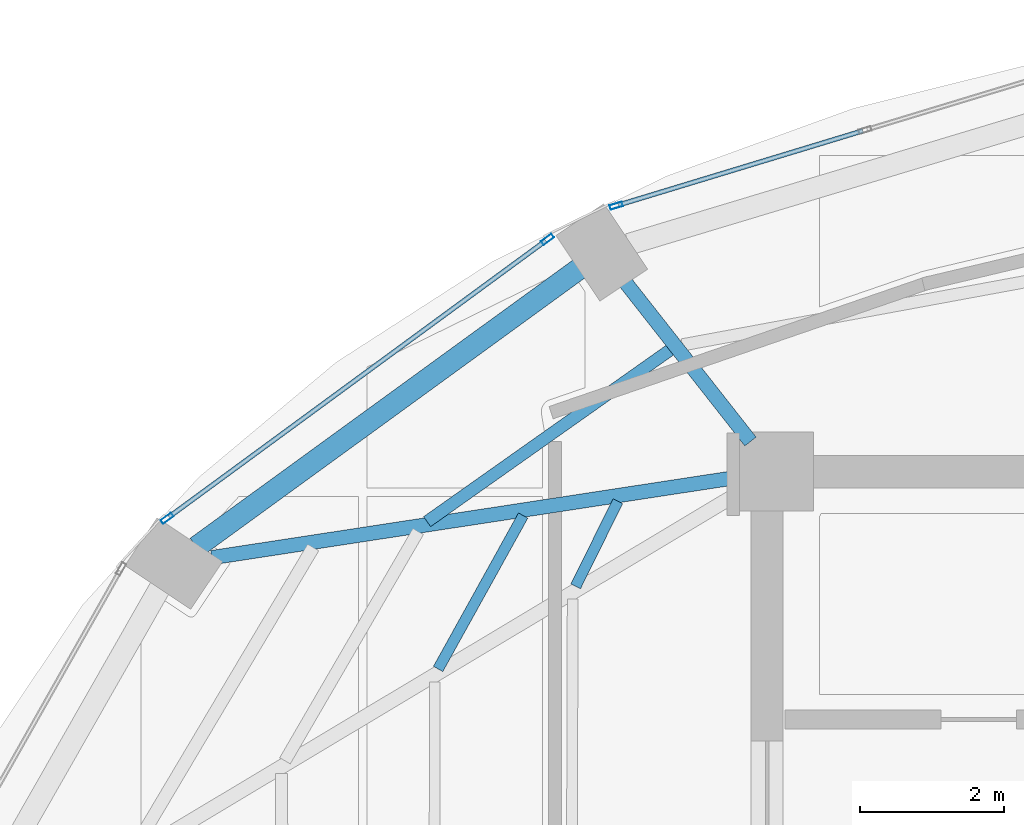
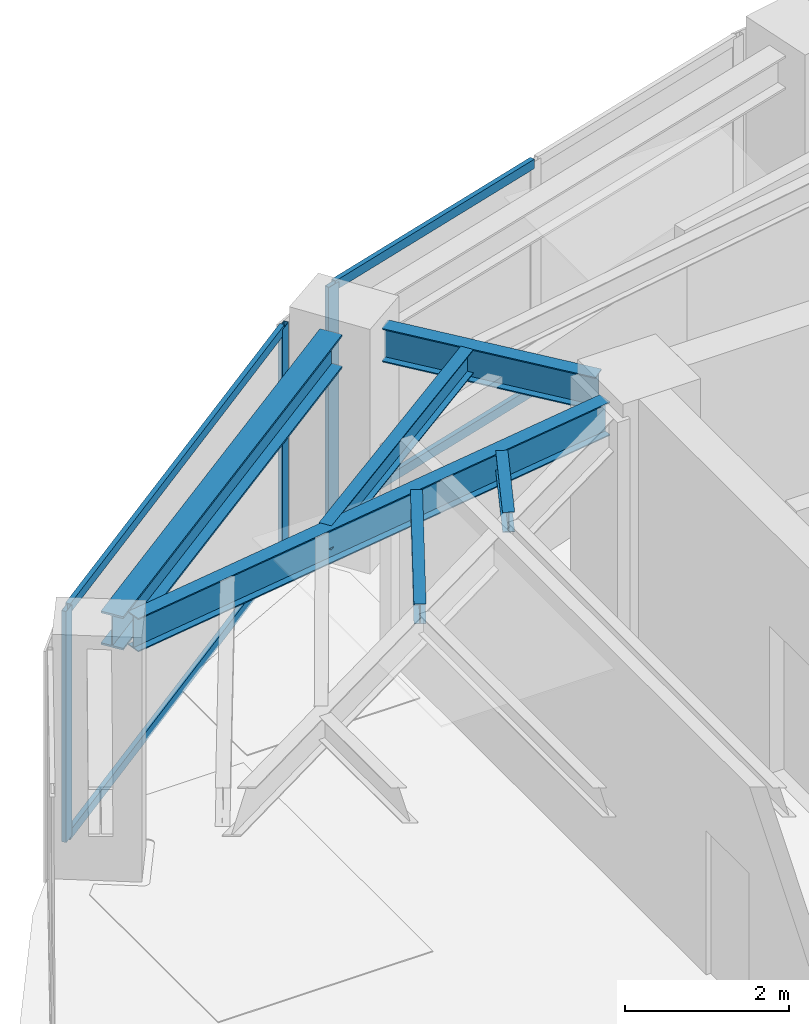
# One storey, part 10 of 22: 7 members, 6 beams, 2 elements without a shape of their own.
"""IFC4 building model written with IfcOpenShell, lengths in metres."""

import ifcopenshell
import ifcopenshell.guid

model = None  # the IFC model being written
_history = None  # IfcOwnerHistory: only IFC2X3 demands one
_inside = {}  # id of a spatial element -> (the spatial element, [elements in it])
_under = {}  # id of a project, library or spatial element -> (it, [spatial elements below it])
_declared = {}  # id of a project -> (the project, [libraries it declares])
_typed = {}  # id of a type object -> (the type object, [elements of that type])
_made_of = {}  # id of a material, layer set ... -> (it, [elements and type objects made of it])


def new_model(schema):
    """Start an empty IFC model of exactly this schema.

    Asked for "IFC4X3", IfcOpenShell would pick the latest addendum, in which some entities
    have other attributes; the version numbers below select the first issue.
    IFC2X3 requires an IfcOwnerHistory on every rooted entity: one is made here for all.
    """
    global model, _history
    if schema == "IFC4X3":
        model = ifcopenshell.file(schema_version=(4, 3, 0, 0))
    else:
        model = ifcopenshell.file(schema=schema)
    _inside.clear()
    _under.clear()
    _declared.clear()
    _typed.clear()
    _made_of.clear()
    _history = None
    if model.schema == "IFC2X3":
        org = make("IfcOrganization", Name="unknown")
        user = make(
            "IfcPersonAndOrganization",
            ThePerson=make("IfcPerson", FamilyName="unknown"),
            TheOrganization=org,
        )
        app = make(
            "IfcApplication",
            ApplicationDeveloper=org,
            Version="unknown",
            ApplicationFullName="unknown",
            ApplicationIdentifier="unknown",
        )
        _history = make(
            "IfcOwnerHistory",
            OwningUser=user,
            OwningApplication=app,
            ChangeAction="ADDED",
            CreationDate=0,
        )
    return model


def make(cls, **values):
    """One entity of the class cls with the attributes given. An attribute that is None is left unset."""
    return model.create_entity(
        cls, **{name: value for name, value in values.items() if value is not None}
    )


def rooted(cls, **values):
    """An entity with a GlobalId (a new one), such as an element, a storey or a relation."""
    return make(cls, GlobalId=ifcopenshell.guid.new(), OwnerHistory=_history, **values)


def si_unit(unit_type, name, prefix=None):
    """IfcSIUnit, for example si_unit("LENGTHUNIT", "METRE", prefix="MILLI")."""
    return make("IfcSIUnit", UnitType=unit_type, Prefix=prefix, Name=name)


def assignment(units):
    """IfcUnitAssignment: the units of a project."""
    return None if units is None else make("IfcUnitAssignment", Units=units)


def point(xyz):
    """IfcCartesianPoint."""
    return None if xyz is None else make("IfcCartesianPoint", Coordinates=xyz)


def direction(xyz):
    """IfcDirection."""
    return None if xyz is None else make("IfcDirection", DirectionRatios=xyz)


def frame(location, z_axis=None, x_axis=None):
    """IfcAxis2Placement3D, a coordinate frame: its origin and axes. An axis left out is left unset."""
    return make(
        "IfcAxis2Placement3D",
        Location=point(location),
        Axis=direction(z_axis),
        RefDirection=direction(x_axis),
    )


def frame_2d(location, x_axis=None):
    """IfcAxis2Placement2D, a coordinate frame in the plane: its origin and x axis."""
    return make(
        "IfcAxis2Placement2D", Location=point(location), RefDirection=direction(x_axis)
    )


def origin():
    """The frame at (0, 0, 0) with its axes left unset."""
    return frame((0.0, 0.0, 0.0))


def origin_2d():
    """The frame at (0, 0) in the plane with its x axis left unset."""
    return frame_2d((0.0, 0.0))


def place(relative_to, where):
    """IfcLocalPlacement: puts the frame where relative to a parent placement (None: the world)."""
    return make(
        "IfcLocalPlacement", PlacementRelTo=relative_to, RelativePlacement=where
    )


def context(
    kind, dimensions, precision=None, world=None, true_north=None, identifier=None
):
    """IfcGeometricRepresentationContext, for example the 3D "Model" context."""
    return make(
        "IfcGeometricRepresentationContext",
        ContextIdentifier=identifier,
        ContextType=kind,
        CoordinateSpaceDimension=dimensions,
        Precision=precision,
        WorldCoordinateSystem=world,
        TrueNorth=true_north,
    )


def subcontext(parent, identifier, kind, view, scale=None):
    """IfcGeometricRepresentationSubContext, for example "Body" below "Model"."""
    return make(
        "IfcGeometricRepresentationSubContext",
        ContextIdentifier=identifier,
        ContextType=kind,
        ParentContext=parent,
        TargetScale=scale,
        TargetView=view,
    )


def project(units=None, contexts=None):
    """IfcProject with its units and contexts."""
    return rooted(
        "IfcProject",
        Name="project",
        RepresentationContexts=contexts,
        UnitsInContext=assignment(units),
    )


def spatial(cls, under=None, at=None, **own):
    """A site, building, storey or space (cls), placed at a placement, below another one or the project."""
    s = rooted(cls, ObjectPlacement=at, **own)
    if under is not None:
        _under.setdefault(under.id(), (under, []))[1].append(s)
    return s


def profile(cls, at=None, kind="AREA", **sizes):
    """A parametric profile (cls). Its sizes go by their IFC names, for example OverallWidth=200.0."""
    return make(cls, ProfileType=kind, Position=at, **sizes)


def hollow_rectangle(**sizes):
    """IfcRectangleHollowProfileDef."""
    return profile("IfcRectangleHollowProfileDef", **sizes)


def i_section(**sizes):
    """IfcIShapeProfileDef."""
    return profile("IfcIShapeProfileDef", **sizes)


def extrude(swept, where, along, depth):
    """IfcExtrudedAreaSolid: the profile swept, set in the frame where, extruded along a direction by depth."""
    return make(
        "IfcExtrudedAreaSolid",
        SweptArea=swept,
        Position=where,
        ExtrudedDirection=direction(along),
        Depth=depth,
    )


def shape(context_of_items, identifier, shape_type, items):
    """IfcShapeRepresentation: the items that make up one representation, for example the "Body"."""
    return make(
        "IfcShapeRepresentation",
        ContextOfItems=context_of_items,
        RepresentationIdentifier=identifier,
        RepresentationType=shape_type,
        Items=items,
    )


def material(Name=None, Category=None):
    """IfcMaterial."""
    return make("IfcMaterial", Name=Name, Category=Category)


def layer(
    of_material, thickness, ventilated=None, Name=None, Category=None, Priority=None
):
    """IfcMaterialLayer: one layer of a wall or slab, of a material (None: an air gap)."""
    return make(
        "IfcMaterialLayer",
        Material=of_material,
        LayerThickness=thickness,
        IsVentilated=ventilated,
        Name=Name,
        Category=Category,
        Priority=Priority,
    )


def layer_set(layers, Name=None):
    """IfcMaterialLayerSet."""
    return make("IfcMaterialLayerSet", MaterialLayers=layers, LayerSetName=Name)


def material_profile(
    of_material, cross_section, Name=None, Category=None, Priority=None
):
    """IfcMaterialProfile: a cross section and its material."""
    return make(
        "IfcMaterialProfile",
        Name=Name,
        Material=of_material,
        Profile=cross_section,
        Priority=Priority,
        Category=Category,
    )


def profile_set(profiles, Name=None, composite=None):
    """IfcMaterialProfileSet."""
    return make(
        "IfcMaterialProfileSet",
        Name=Name,
        MaterialProfiles=profiles,
        CompositeProfile=composite,
    )


def made_of(thing, what):
    """Note that an element or type object is made of a material, layer set ...; save() writes the relation."""
    if what is not None:
        _made_of.setdefault(what.id(), (what, []))[1].append(thing)
    return thing


def type_object(cls, material=None, **own):
    """A type object (cls), such as IfcWallType, which elements share."""
    return made_of(rooted(cls, **own), material)


def element(
    cls,
    number,
    at=None,
    inside=None,
    cuts=None,
    type_object=None,
    material=None,
    context=None,
    identifier="Body",
    shape_type=None,
    held_by="IfcProductDefinitionShape",
    body=None,
    shapes=None,
    **own,
):
    """One element of the class cls, such as IfcWall. Its Tag is "e" and its number.

    at: its placement. inside: the storey or other place that contains it. cuts: it is an
    opening in that element (IfcRelVoidsElement). A single representation is given by context,
    identifier, shape_type and body (its items); several are given by shapes. held_by: the class
    of the entity that holds the representations. save() writes the other relations.
    """
    e = rooted(cls, Tag="e%d" % number, ObjectPlacement=at, **own)
    if body is not None:
        shapes = [shape(context, identifier, shape_type, body)]
    if shapes is not None:
        e.Representation = make(held_by, Representations=shapes)
    if inside is not None:
        _inside.setdefault(inside.id(), (inside, []))[1].append(e)
    if cuts is not None:
        rooted(
            "IfcRelVoidsElement", RelatingBuildingElement=cuts, RelatedOpeningElement=e
        )
    if type_object is not None:
        _typed.setdefault(type_object.id(), (type_object, []))[1].append(e)
    return made_of(e, material)


def aggregate(whole, parts):
    """IfcRelAggregates: a whole, such as a stair, and the parts it consists of."""
    return rooted("IfcRelAggregates", RelatingObject=whole, RelatedObjects=parts)


def save(model, path):
    """Write the relations noted so far, then the file.

    IfcRelAggregates (storeys below a building ...), IfcRelContainedInSpatialStructure (elements
    in a storey), IfcRelDefinesByType, IfcRelAssociatesMaterial and IfcRelDeclares: one each for
    every whole, place, type object, material and project.
    """
    for whole, parts in _under.values():
        aggregate(whole, parts)
    for where, things in _inside.values():
        rooted(
            "IfcRelContainedInSpatialStructure",
            RelatedElements=things,
            RelatingStructure=where,
        )
    for kind, things in _typed.values():
        rooted("IfcRelDefinesByType", RelatedObjects=things, RelatingType=kind)
    for what, things in _made_of.values():
        rooted("IfcRelAssociatesMaterial", RelatedObjects=things, RelatingMaterial=what)
    for by, libraries in _declared.values():
        rooted("IfcRelDeclares", RelatingContext=by, RelatedDefinitions=libraries)
    model.write(path)


model = new_model("IFC4")

# Units and contexts
model_context = context("Model", 3, precision=1e-05, world=origin(), true_north=direction((0.0, 1.0)))
body_context = subcontext(model_context, "Body", "Model", "MODEL_VIEW")
ifc_project = project(units=[si_unit("LENGTHUNIT", "METRE"), si_unit("AREAUNIT", "SQUARE_METRE"), si_unit("VOLUMEUNIT", "CUBIC_METRE"), si_unit("PLANEANGLEUNIT", "RADIAN"), si_unit("MASSUNIT", "GRAM", prefix="KILO")], contexts=[model_context])

# Site, building, storey
site_placement = place(None, origin())
site = spatial("IfcSite", under=ifc_project, at=site_placement, CompositionType="ELEMENT")
building_placement = place(site_placement, origin())
building = spatial("IfcBuilding", under=site, at=building_placement, Name="Lazwardi Medical Tower", CompositionType="ELEMENT")
storey_placement = place(building_placement, frame((0.0, 0.0, 255.02392578125)))
storey = spatial("IfcBuildingStorey", under=building, at=storey_placement, Name="L66", CompositionType="ELEMENT", Elevation=255.02392578125)

# Beams
ifc_material_1 = material(Name="Steel S355", Category="steel")
ifc_material_profile_1 = material_profile(ifc_material_1, i_section(OverallWidth=0.300048828125, OverallDepth=0.5, WebThickness=0.014404296875, FlangeThickness=0.028076171875, at=origin_2d()), Name="HEB 500")
ifc_profile_set_1 = profile_set([ifc_material_profile_1], Name="Steel S355")
beam_type_1 = type_object("IfcBeamType", Name="BM-RB-Z4", PredefinedType="BEAM", material=ifc_profile_set_1)
beam_1_placement = place(storey_placement, frame((23.68408203125, 38.4248046875, 3.197998046875), z_axis=(-0.808889916254, -0.587960120571, 0.0), x_axis=(0.587960120571, -0.808889916254, 0.0)))
element("IfcBeam", 1, at=beam_1_placement, inside=storey, type_object=beam_type_1, Name="Ring beam RB-05 B10 L66", PredefinedType="BEAM", context=body_context, shape_type="SweptSolid", body=[
    extrude(i_section(OverallWidth=0.300048828125, OverallDepth=0.5, WebThickness=0.014404296875, FlangeThickness=0.028076171875, at=origin_2d()), origin(), (0.0, 0.0, 1.0), 6.587158203125),
])
ifc_material_profile_2 = material_profile(ifc_material_1, i_section(OverallWidth=0.199951171875, OverallDepth=0.5, WebThickness=0.01025390625, FlangeThickness=0.01611328125, at=origin_2d()), Name="IPE 500")
ifc_profile_set_2 = profile_set([ifc_material_profile_2], Name="Steel S355")
beam_type_2 = type_object("IfcBeamType", Name="BM-RG-W3", PredefinedType="BEAM", material=ifc_profile_set_2)
beam_2_placement = place(storey_placement, frame((24.330322265625, 38.2333984375, 3.197998046875), z_axis=(0.617890508382, -0.786264153864, 0.0), x_axis=(0.786264153864, 0.617890508382, 0.0)))
element("IfcBeam", 2, at=beam_2_placement, inside=storey, type_object=beam_type_2, Name="Radial girder RG-04 R10 L66", PredefinedType="BEAM", context=body_context, shape_type="SweptSolid", body=[
    extrude(i_section(OverallWidth=0.199951171875, OverallDepth=0.5, WebThickness=0.01025390625, FlangeThickness=0.01611328125, at=origin_2d()), origin(), (0.0, 0.0, 1.0), 2.814453125),
])
beam_3_placement = place(storey_placement, frame((18.569091796875, 34.4033203125, 3.197998046875), z_axis=(0.988522137285, 0.151076087115, 0.0), x_axis=(-0.151076087115, 0.988522137285, 0.0)))
element("IfcBeam", 3, at=beam_3_placement, inside=storey, type_object=beam_type_2, Name="Radial girder RG-04 R11 L66", PredefinedType="BEAM", context=body_context, shape_type="SweptSolid", body=[
    extrude(i_section(OverallWidth=0.199951171875, OverallDepth=0.5, WebThickness=0.01025390625, FlangeThickness=0.01611328125, at=origin_2d()), origin(), (0.0, 0.0, 1.0), 7.38671875),
])
ifc_material_profile_3 = material_profile(ifc_material_1, i_section(OverallWidth=0.169921875, OverallDepth=0.360107421875, WebThickness=0.008056640625, FlangeThickness=0.0126953125, at=origin_2d()), Name="IPE 360")
ifc_profile_set_3 = profile_set([ifc_material_profile_3], Name="Steel S355")
beam_type_3 = type_object("IfcBeamType", Name="BM-SJ-02", PredefinedType="JOIST", material=ifc_profile_set_3)
beam_4_placement = place(storey_placement, frame((24.948486328125, 37.29345703125, 3.26806640625), z_axis=(-0.816711190406, -0.577046645832, 0.0), x_axis=(0.577046645832, -0.816711190406, 0.0)))
element("IfcBeam", 4, at=beam_4_placement, inside=storey, type_object=beam_type_3, Name="Secondary joist SJ-02 R2 B10 L66", PredefinedType="JOIST", context=body_context, shape_type="SweptSolid", body=[
    extrude(i_section(OverallWidth=0.169921875, OverallDepth=0.360107421875, WebThickness=0.008056640625, FlangeThickness=0.0126953125, at=origin_2d()), origin(), (0.0, 0.0, 1.0), 4.139892578125),
])
ifc_material_profile_4 = material_profile(ifc_material_1, i_section(OverallWidth=0.14990234375, OverallDepth=0.300048828125, WebThickness=0.007080078125, FlangeThickness=0.0107421875, at=origin_2d()), Name="IPE 300")
ifc_profile_set_4 = profile_set([ifc_material_profile_4], Name="Steel S355")
beam_type_4 = type_object("IfcBeamType", Name="BM-SJ-03", PredefinedType="JOIST", material=ifc_profile_set_4)
beam_5_placement = place(storey_placement, frame((22.904296875, 34.98974609375, 3.298095703125), z_axis=(-0.484751625998, -0.874651851363, 0.0), x_axis=(0.874651851363, -0.484751625998, 0.0)))
element("IfcBeam", 5, at=beam_5_placement, inside=storey, type_object=beam_type_4, Name="Secondary joist SJ-03 R3 B11 L66", PredefinedType="JOIST", context=body_context, shape_type="SweptSolid", body=[
    extrude(i_section(OverallWidth=0.14990234375, OverallDepth=0.300048828125, WebThickness=0.007080078125, FlangeThickness=0.0107421875, at=origin_2d()), origin(), (0.0, 0.0, 1.0), 2.442626953125),
])
beam_6_placement = place(storey_placement, frame((24.222412109375, 35.188720703125, 3.298095703125), z_axis=(-0.443587297772, -0.89623116954, 0.0), x_axis=(0.89623116954, -0.443587297772, 0.0)))
element("IfcBeam", 6, at=beam_6_placement, inside=storey, type_object=beam_type_4, Name="Secondary joist SJ-03 R4 B11 L66", PredefinedType="JOIST", context=body_context, shape_type="SweptSolid", body=[
    extrude(i_section(OverallWidth=0.14990234375, OverallDepth=0.300048828125, WebThickness=0.007080078125, FlangeThickness=0.0107421875, at=origin_2d()), origin(), (0.0, 0.0, 1.0), 1.32080078125),
])

# Curtain wall, member
ifc_material_2 = material(Name="Anodised bronze aluminium and solar control glazing", Category="aluminium")
ifc_layer = layer(ifc_material_2, 0.18994140625)
ifc_layer_set = layer_set([ifc_layer], Name="Anodised bronze aluminium and solar control glazing")
curtain_wall_type = type_object("IfcCurtainWallType", Name="CW-SYS-04", PredefinedType="NOTDEFINED", material=ifc_layer_set)
curtain_wall_1_placement = place(storey_placement, origin())
curtain_wall_1 = element("IfcCurtainWall", 7, at=curtain_wall_1_placement, inside=storey, type_object=curtain_wall_type, Name="L66 Unitised bronze curtain wall CW-04", PredefinedType="NOTDEFINED")
ifc_material_3 = material(Name="Anodised bronze aluminium", Category="aluminium")
ifc_material_profile_5 = material_profile(ifc_material_3, hollow_rectangle(XDim=0.06494140625, YDim=0.179931640625, WallThickness=0.00390625, at=origin_2d()), Name="ALU-MULLION 180x65x4")
ifc_profile_set_5 = profile_set([ifc_material_profile_5], Name="Anodised bronze aluminium")
member_type_1 = type_object("IfcMemberType", Name="CW-MUL-03", PredefinedType="MULLION", material=ifc_profile_set_5)
member_1_placement = place(storey_placement, frame((24.2001953125, 39.303466796875, 0.0), z_axis=(0.0, 0.0, 1.0), x_axis=(0.290581889515, -0.956850126972, 0.0)))
member_1 = element("IfcMember", 8, at=member_1_placement, type_object=member_type_1, Name="CW-04 mullion 3", PredefinedType="MULLION", context=body_context, shape_type="SweptSolid", body=[
    extrude(hollow_rectangle(XDim=0.06494140625, YDim=0.179931640625, WallThickness=0.00390625, at=origin_2d()), origin(), (0.0, 0.0, 1.0), 3.447998046875),
])

# Curtain wall, members
curtain_wall_2_placement = place(storey_placement, origin())
curtain_wall_2 = element("IfcCurtainWall", 9, at=curtain_wall_2_placement, inside=storey, type_object=curtain_wall_type, Name="L66 Unitised bronze curtain wall CW-04", PredefinedType="NOTDEFINED")
member_2_placement = place(storey_placement, frame((23.24462890625, 38.8349609375, 0.0), z_axis=(0.0, 0.0, 1.0), x_axis=(0.591268230971, -0.806474971121, 0.0)))
member_2 = element("IfcMember", 10, at=member_2_placement, type_object=member_type_1, Name="CW-04 mullion 1", PredefinedType="MULLION", context=body_context, shape_type="SweptSolid", body=[
    extrude(hollow_rectangle(XDim=0.06494140625, YDim=0.179931640625, WallThickness=0.00390625, at=origin_2d()), origin(), (0.0, 0.0, 1.0), 3.447998046875),
])
member_3_placement = place(storey_placement, frame((17.947998046875, 34.95166015625, 0.0), z_axis=(0.0, 0.0, 1.0), x_axis=(0.591268230971, -0.806474971121, 0.0)))
member_3 = element("IfcMember", 11, at=member_3_placement, type_object=member_type_1, Name="CW-04 mullion 2", PredefinedType="MULLION", context=body_context, shape_type="SweptSolid", body=[
    extrude(hollow_rectangle(XDim=0.06494140625, YDim=0.179931640625, WallThickness=0.00390625, at=origin_2d()), origin(), (0.0, 0.0, 1.0), 3.447998046875),
])

# Member
ifc_material_profile_6 = material_profile(ifc_material_3, hollow_rectangle(XDim=0.06494140625, YDim=0.139892578125, WallThickness=0.00341796875, at=origin_2d()), Name="ALU-TRANSOM 140x65x3.5")
ifc_profile_set_6 = profile_set([ifc_material_profile_6], Name="Anodised bronze aluminium")
member_type_2 = type_object("IfcMemberType", Name="CW-TRN-03", PredefinedType="USERDEFINED", material=ifc_profile_set_6)
member_4_placement = place(storey_placement, frame((27.632568359375, 40.345947265625, 0.032470703125), z_axis=(-0.956843409009, -0.290604010015, 0.0), x_axis=(0.290604010015, -0.956843409009, 0.0)))
member_4 = element("IfcMember", 12, at=member_4_placement, type_object=member_type_2, Name="CW-04 transom 2.1", ObjectType="TRANSOM", PredefinedType="USERDEFINED", context=body_context, shape_type="SweptSolid", body=[
    extrude(hollow_rectangle(XDim=0.06494140625, YDim=0.139892578125, WallThickness=0.00341796875, at=origin_2d()), origin(), (0.0, 0.0, 1.0), 3.554443359375),
])

member_5_placement = place(storey_placement, frame((27.632568359375, 40.345947265625, 3.41552734375), z_axis=(-0.956843409009, -0.290604010015, 0.0), x_axis=(0.290604010015, -0.956843409009, 0.0)))
member_5 = element("IfcMember", 13, at=member_5_placement, type_object=member_type_2, Name="CW-04 transom 2.2", ObjectType="TRANSOM", PredefinedType="USERDEFINED", context=body_context, shape_type="SweptSolid", body=[
    extrude(hollow_rectangle(XDim=0.06494140625, YDim=0.139892578125, WallThickness=0.00341796875, at=origin_2d()), origin(), (0.0, 0.0, 1.0), 3.554443359375),
])

aggregate(curtain_wall_1, [member_1, member_4, member_5])

member_6_placement = place(storey_placement, frame((23.218505859375, 38.815673828125, 0.032470703125), z_axis=(-0.80648973359, -0.591248094808, 0.0), x_axis=(0.591248094808, -0.80648973359, 0.0)))
member_6 = element("IfcMember", 14, at=member_6_placement, type_object=member_type_2, Name="CW-04 transom 1.1", ObjectType="TRANSOM", PredefinedType="USERDEFINED", context=body_context, shape_type="SweptSolid", body=[
    extrude(hollow_rectangle(XDim=0.06494140625, YDim=0.139892578125, WallThickness=0.00341796875, at=origin_2d()), origin(), (0.0, 0.0, 1.0), 6.502685546875),
])

member_7_placement = place(storey_placement, frame((23.218505859375, 38.815673828125, 3.41552734375), z_axis=(-0.80648973359, -0.591248094808, 0.0), x_axis=(0.591248094808, -0.80648973359, 0.0)))
member_7 = element("IfcMember", 15, at=member_7_placement, type_object=member_type_2, Name="CW-04 transom 1.2", ObjectType="TRANSOM", PredefinedType="USERDEFINED", context=body_context, shape_type="SweptSolid", body=[
    extrude(hollow_rectangle(XDim=0.06494140625, YDim=0.139892578125, WallThickness=0.00341796875, at=origin_2d()), origin(), (0.0, 0.0, 1.0), 6.502685546875),
])

aggregate(curtain_wall_2, [member_2, member_3, member_6, member_7])

save(model, "model.ifc")
